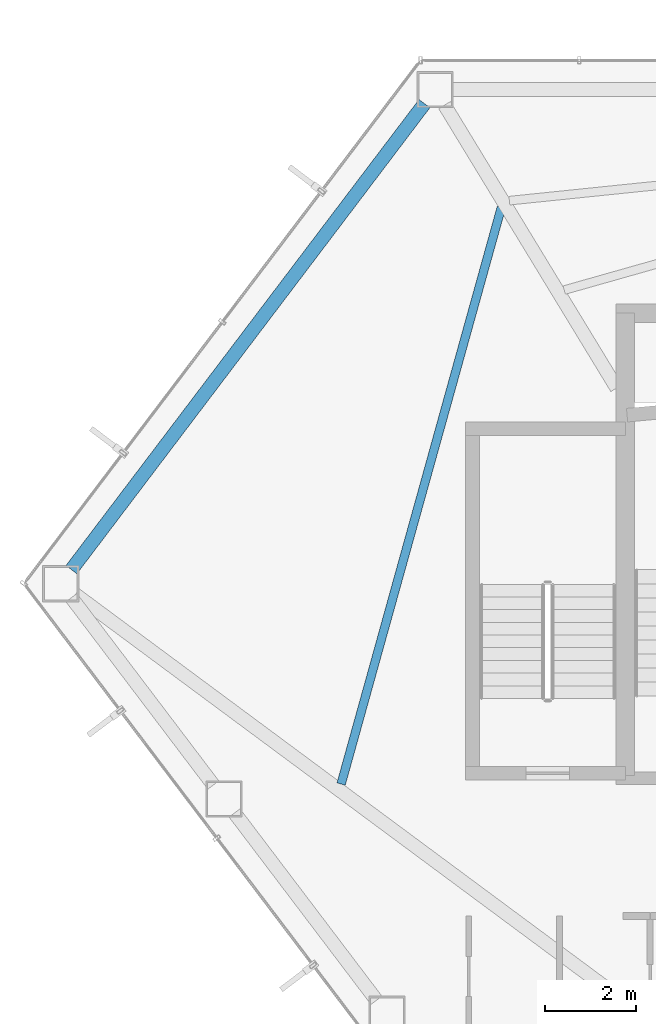
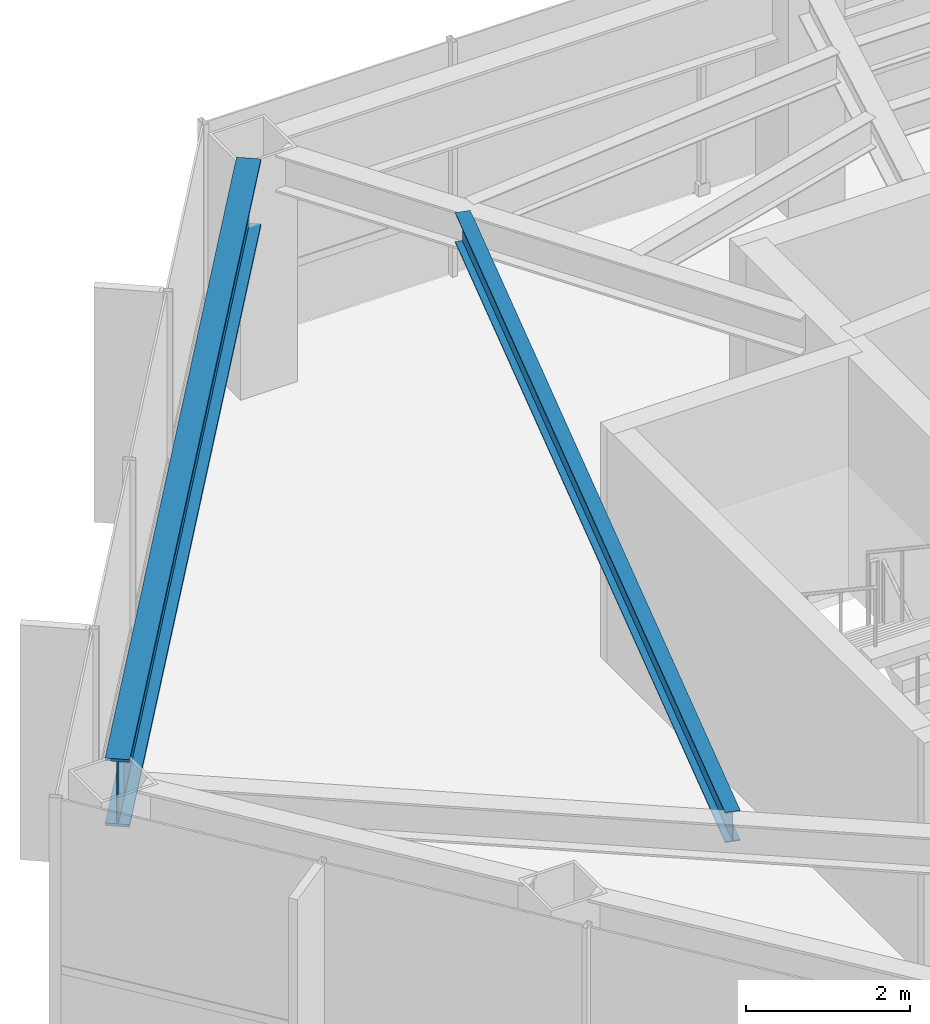
# One storey, part 11 of 28: 2 beams.
"""IFC4 building model written with IfcOpenShell, lengths in metres."""

from ifc_helpers import new_model, si_unit, direction, frame, origin, origin_2d, place, context, subcontext, project, spatial, i_section, extrude, material, material_profile, profile_set, type_object, element, save


model = new_model("IFC4")

# Units and contexts
model_context = context("Model", 3, precision=1e-05, world=origin(), true_north=direction((0.0, 1.0)))
body_context = subcontext(model_context, "Body", "Model", "MODEL_VIEW")
ifc_project = project(units=[si_unit("LENGTHUNIT", "METRE"), si_unit("AREAUNIT", "SQUARE_METRE"), si_unit("VOLUMEUNIT", "CUBIC_METRE"), si_unit("PLANEANGLEUNIT", "RADIAN"), si_unit("MASSUNIT", "GRAM", prefix="KILO")], contexts=[model_context])

# Site, building, storey
site_placement = place(None, origin())
site = spatial("IfcSite", under=ifc_project, at=site_placement, CompositionType="ELEMENT")
building_placement = place(site_placement, origin())
building = spatial("IfcBuilding", under=site, at=building_placement, Name="Zarrinselat Tower", CompositionType="ELEMENT")
storey_placement = place(building_placement, frame((0.0, 0.0, 145.860107421875)))
storey = spatial("IfcBuildingStorey", under=building, at=storey_placement, Name="L35", CompositionType="ELEMENT", Elevation=145.860107421875)

# Beams
ifc_material_1 = material(Name="Steel S460M", Category="steel")
ifc_material_profile_1 = material_profile(ifc_material_1, i_section(OverallWidth=0.302001953125, OverallDepth=1.008056640625, WebThickness=0.02099609375, FlangeThickness=0.0400390625, at=origin_2d()), Name="HEM 1000")
ifc_profile_set_1 = profile_set([ifc_material_profile_1], Name="Steel S460M")
beam_type_1 = type_object("IfcBeamType", Name="BM-HEM1000", PredefinedType="BEAM", material=ifc_profile_set_1)
beam_1_placement = place(storey_placement, frame((16.381591796875, 37.79248046875, 2.995849609375), z_axis=(0.603848213094, 0.797099326021, 0.0), x_axis=(-0.797099326021, 0.603848213094, 0.0)))
element("IfcBeam", 1, at=beam_1_placement, inside=storey, type_object=beam_type_1, Name="L35 Perimeter Spandrel Girder SP05", PredefinedType="BEAM", context=body_context, shape_type="SweptSolid", body=[
    extrude(i_section(OverallWidth=0.302001953125, OverallDepth=1.008056640625, WebThickness=0.02099609375, FlangeThickness=0.0400390625, at=origin_2d()), origin(), (0.0, 0.0, 1.0), 12.898681640625),
])
ifc_material_2 = material(Name="Steel S355J2", Category="steel")
ifc_material_profile_2 = material_profile(ifc_material_2, i_section(OverallWidth=0.18994140625, OverallDepth=0.449951171875, WebThickness=0.009521484375, FlangeThickness=0.0146484375, at=origin_2d()), Name="IPE 450")
ifc_profile_set_2 = profile_set([ifc_material_profile_2], Name="Steel S355J2")
beam_type_2 = type_object("IfcBeamType", Name="BM-IPE450", PredefinedType="JOIST", material=ifc_profile_set_2)
beam_2_placement = place(storey_placement, frame((22.33154296875, 33.0625, 3.27490234375), z_axis=(0.267770703509, 0.96348266738, 0.0), x_axis=(-0.96348266738, 0.267770703509, 0.0)))
element("IfcBeam", 2, at=beam_2_placement, inside=storey, type_object=beam_type_2, Name="L35 Composite Floor Joist 10-1", PredefinedType="JOIST", context=body_context, shape_type="SweptSolid", body=[
    extrude(i_section(OverallWidth=0.18994140625, OverallDepth=0.449951171875, WebThickness=0.009521484375, FlangeThickness=0.0146484375, at=origin_2d()), origin(), (0.0, 0.0, 1.0), 13.203125),
])

save(model, "model.ifc")
